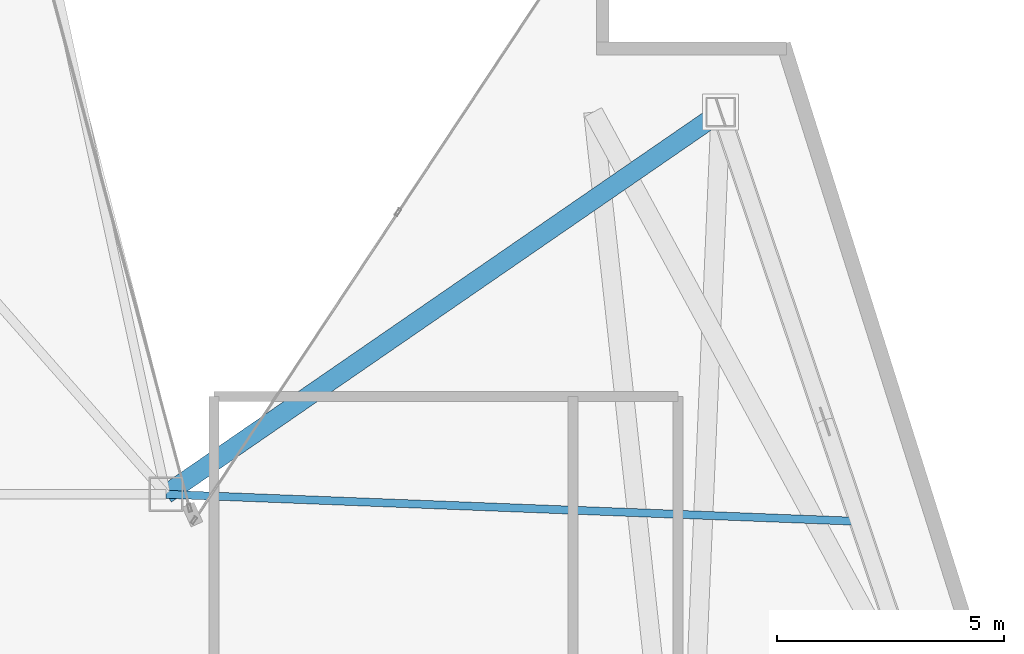
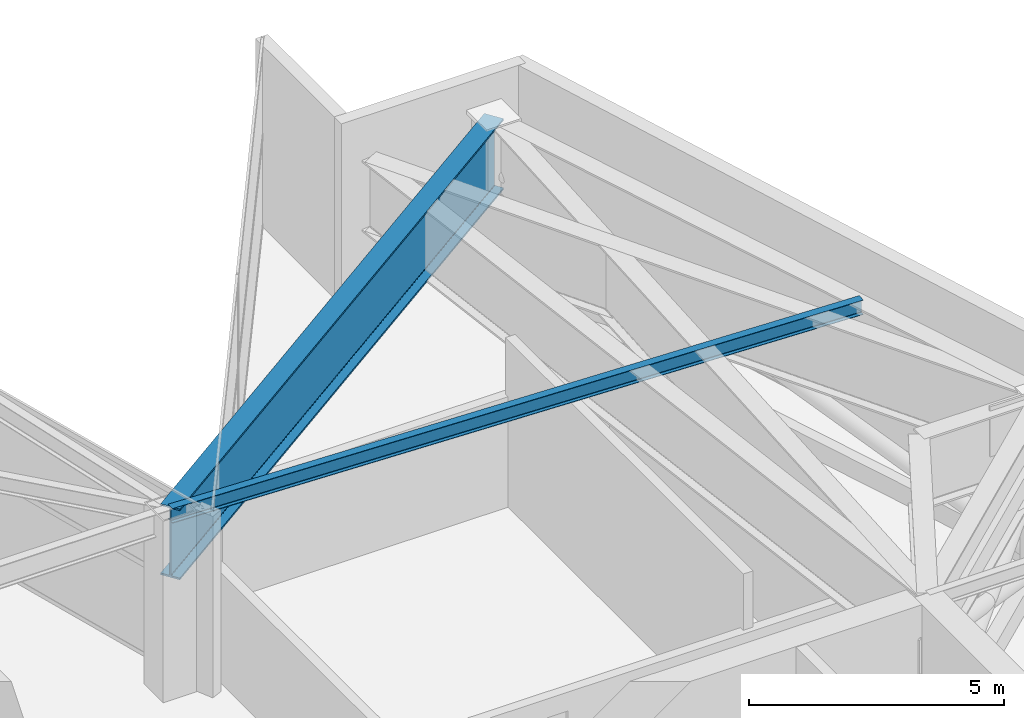
# One storey, part 3 of 15: 2 beams.
"""IFC4 building model written with IfcOpenShell, lengths in metres."""

from ifc_helpers import new_model, si_unit, direction, frame, origin, origin_2d, place, context, subcontext, project, spatial, i_section, extrude, material, material_profile, profile_set, type_object, element, save


model = new_model("IFC4")

# Units and contexts
model_context = context("Model", 3, precision=1e-05, world=origin(), true_north=direction((0.0, 1.0)))
body_context = subcontext(model_context, "Body", "Model", "MODEL_VIEW")
ifc_project = project(units=[si_unit("LENGTHUNIT", "METRE"), si_unit("AREAUNIT", "SQUARE_METRE"), si_unit("VOLUMEUNIT", "CUBIC_METRE"), si_unit("PLANEANGLEUNIT", "RADIAN"), si_unit("MASSUNIT", "GRAM", prefix="KILO")], contexts=[model_context])

# Site, building, storey
site_placement = place(None, origin())
site = spatial("IfcSite", under=ifc_project, at=site_placement, CompositionType="ELEMENT")
building_placement = place(site_placement, origin())
building = spatial("IfcBuilding", under=site, at=building_placement, Name="Calvorn Quay Hotel", CompositionType="ELEMENT")
storey_placement = place(building_placement, frame((0.0, 0.0, 282.5)))
storey = spatial("IfcBuildingStorey", under=building, at=storey_placement, Name="L70", CompositionType="ELEMENT", Elevation=282.5)

# Beams
ifc_material_1 = material(Name="Steel Q355B", Category="steel")
ifc_material_profile_1 = material_profile(ifc_material_1, i_section(OverallWidth=0.175048828125, OverallDepth=0.35009765625, WebThickness=0.007080078125, FlangeThickness=0.010986328125, FilletRadius=0.013916015625, at=origin_2d()), Name="HN350x175x7x11")
ifc_profile_set_1 = profile_set([ifc_material_profile_1], Name="Steel Q355B")
beam_type_1 = type_object("IfcBeamType", Name="BM-JOIST-SEC", PredefinedType="JOIST", material=ifc_profile_set_1)
beam_1_placement = place(storey_placement, frame((21.0, 25.0, 4.175048828125), z_axis=(0.999234392811, -0.039123244039, 0.0), x_axis=(0.039123244039, 0.999234392811, 0.0)))
element("IfcBeam", 1, at=beam_1_placement, inside=storey, type_object=beam_type_1, Name="Beam BJ-L70-E3", PredefinedType="JOIST", context=body_context, shape_type="SweptSolid", body=[
    extrude(i_section(OverallWidth=0.175048828125, OverallDepth=0.35009765625, WebThickness=0.007080078125, FlangeThickness=0.010986328125, FilletRadius=0.013916015625, at=origin_2d()), origin(), (0.0, 0.0, 1.0), 15.338623046875),
])
ifc_material_2 = material(Name="Steel Q420GJC", Category="steel")
ifc_material_profile_2 = material_profile(ifc_material_2, i_section(OverallWidth=0.419921875, OverallDepth=1.699951171875, WebThickness=0.02392578125, FlangeThickness=0.0419921875, FilletRadius=0.02392578125, at=origin_2d()), Name="HN1700x420x24x42")
ifc_profile_set_2 = profile_set([ifc_material_profile_2], Name="Steel Q420GJC")
beam_type_2 = type_object("IfcBeamType", Name="BM-XFER-SAWTOOTH", PredefinedType="BEAM", material=ifc_profile_set_2)
beam_2_placement = place(storey_placement, frame((33.19091796875, 33.39990234375, 3.5), z_axis=(-0.823453496714, -0.567383766731, 0.0), x_axis=(0.567383766731, -0.823453496714, 0.0)))
element("IfcBeam", 2, at=beam_2_placement, inside=storey, type_object=beam_type_2, Name="Beam BSP-L70-E3", PredefinedType="BEAM", context=body_context, shape_type="SweptSolid", body=[
    extrude(i_section(OverallWidth=0.419921875, OverallDepth=1.699951171875, WebThickness=0.02392578125, FlangeThickness=0.0419921875, FilletRadius=0.02392578125, at=origin_2d()), origin(), (0.0, 0.0, 1.0), 14.8046875),
])

save(model, "model.ifc")
